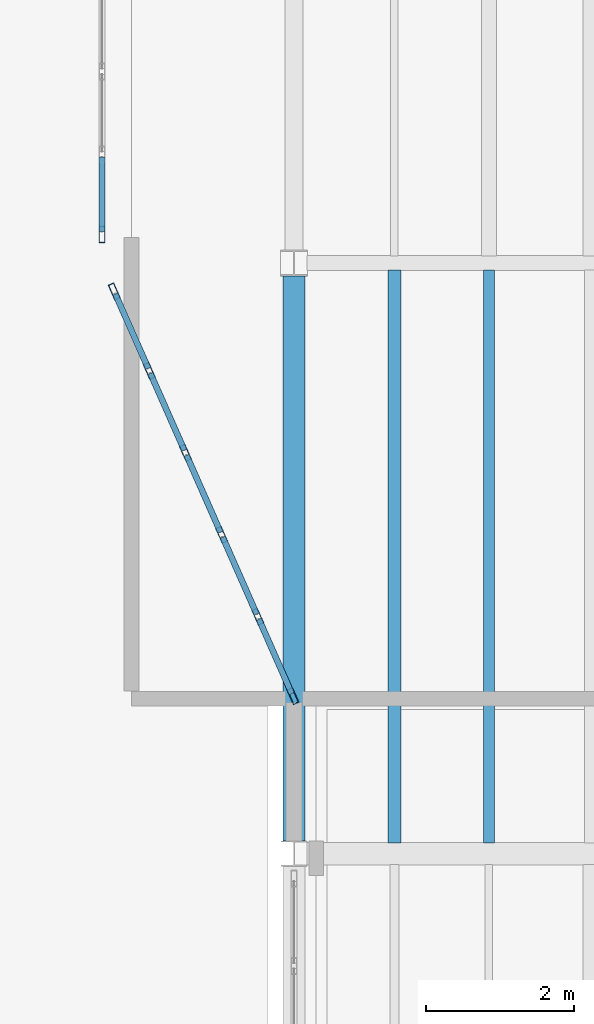
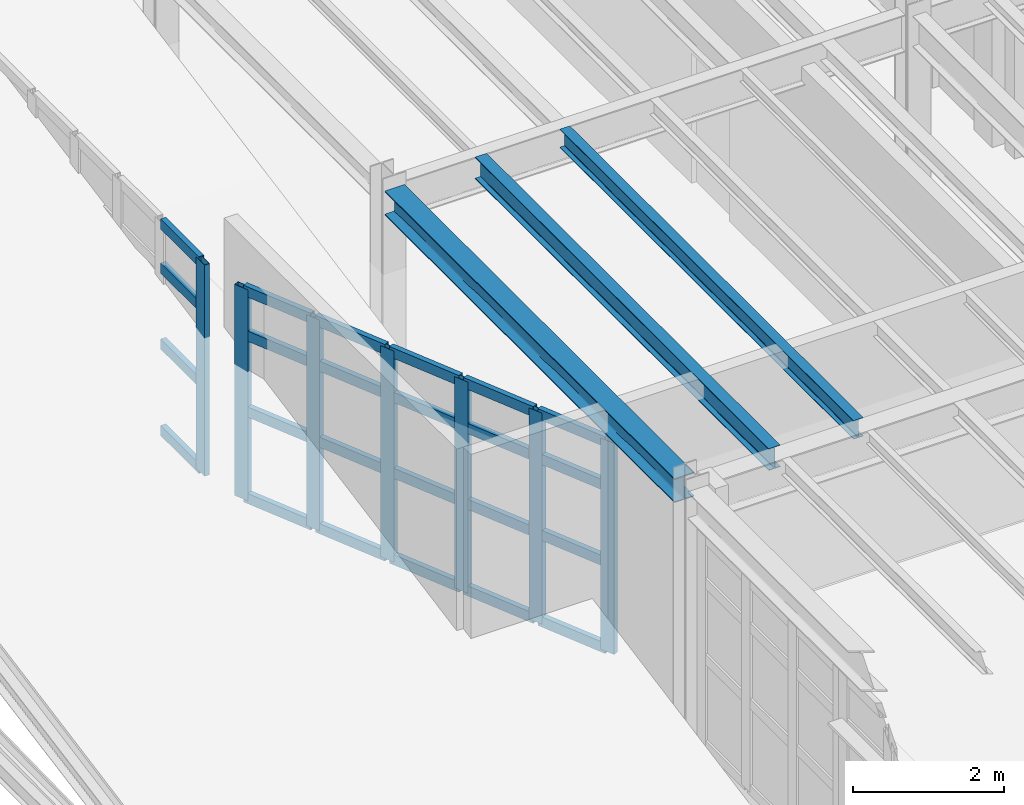
# One storey, part 31 of 77: 31 members, 3 beams, 2 elements without a shape of their own.
"""IFC4 building model written with IfcOpenShell, lengths in metres."""

import ifcopenshell
import ifcopenshell.guid

model = None  # the IFC model being written
_history = None  # IfcOwnerHistory: only IFC2X3 demands one
_inside = {}  # id of a spatial element -> (the spatial element, [elements in it])
_under = {}  # id of a project, library or spatial element -> (it, [spatial elements below it])
_declared = {}  # id of a project -> (the project, [libraries it declares])
_typed = {}  # id of a type object -> (the type object, [elements of that type])
_made_of = {}  # id of a material, layer set ... -> (it, [elements and type objects made of it])


def new_model(schema):
    """Start an empty IFC model of exactly this schema.

    Asked for "IFC4X3", IfcOpenShell would pick the latest addendum, in which some entities
    have other attributes; the version numbers below select the first issue.
    IFC2X3 requires an IfcOwnerHistory on every rooted entity: one is made here for all.
    """
    global model, _history
    if schema == "IFC4X3":
        model = ifcopenshell.file(schema_version=(4, 3, 0, 0))
    else:
        model = ifcopenshell.file(schema=schema)
    _inside.clear()
    _under.clear()
    _declared.clear()
    _typed.clear()
    _made_of.clear()
    _history = None
    if model.schema == "IFC2X3":
        org = make("IfcOrganization", Name="unknown")
        user = make(
            "IfcPersonAndOrganization",
            ThePerson=make("IfcPerson", FamilyName="unknown"),
            TheOrganization=org,
        )
        app = make(
            "IfcApplication",
            ApplicationDeveloper=org,
            Version="unknown",
            ApplicationFullName="unknown",
            ApplicationIdentifier="unknown",
        )
        _history = make(
            "IfcOwnerHistory",
            OwningUser=user,
            OwningApplication=app,
            ChangeAction="ADDED",
            CreationDate=0,
        )
    return model


def make(cls, **values):
    """One entity of the class cls with the attributes given. An attribute that is None is left unset."""
    return model.create_entity(
        cls, **{name: value for name, value in values.items() if value is not None}
    )


def rooted(cls, **values):
    """An entity with a GlobalId (a new one), such as an element, a storey or a relation."""
    return make(cls, GlobalId=ifcopenshell.guid.new(), OwnerHistory=_history, **values)


def si_unit(unit_type, name, prefix=None):
    """IfcSIUnit, for example si_unit("LENGTHUNIT", "METRE", prefix="MILLI")."""
    return make("IfcSIUnit", UnitType=unit_type, Prefix=prefix, Name=name)


def assignment(units):
    """IfcUnitAssignment: the units of a project."""
    return None if units is None else make("IfcUnitAssignment", Units=units)


def point(xyz):
    """IfcCartesianPoint."""
    return None if xyz is None else make("IfcCartesianPoint", Coordinates=xyz)


def direction(xyz):
    """IfcDirection."""
    return None if xyz is None else make("IfcDirection", DirectionRatios=xyz)


def frame(location, z_axis=None, x_axis=None):
    """IfcAxis2Placement3D, a coordinate frame: its origin and axes. An axis left out is left unset."""
    return make(
        "IfcAxis2Placement3D",
        Location=point(location),
        Axis=direction(z_axis),
        RefDirection=direction(x_axis),
    )


def frame_2d(location, x_axis=None):
    """IfcAxis2Placement2D, a coordinate frame in the plane: its origin and x axis."""
    return make(
        "IfcAxis2Placement2D", Location=point(location), RefDirection=direction(x_axis)
    )


def origin():
    """The frame at (0, 0, 0) with its axes left unset."""
    return frame((0.0, 0.0, 0.0))


def origin_2d():
    """The frame at (0, 0) in the plane with its x axis left unset."""
    return frame_2d((0.0, 0.0))


def place(relative_to, where):
    """IfcLocalPlacement: puts the frame where relative to a parent placement (None: the world)."""
    return make(
        "IfcLocalPlacement", PlacementRelTo=relative_to, RelativePlacement=where
    )


def context(
    kind, dimensions, precision=None, world=None, true_north=None, identifier=None
):
    """IfcGeometricRepresentationContext, for example the 3D "Model" context."""
    return make(
        "IfcGeometricRepresentationContext",
        ContextIdentifier=identifier,
        ContextType=kind,
        CoordinateSpaceDimension=dimensions,
        Precision=precision,
        WorldCoordinateSystem=world,
        TrueNorth=true_north,
    )


def subcontext(parent, identifier, kind, view, scale=None):
    """IfcGeometricRepresentationSubContext, for example "Body" below "Model"."""
    return make(
        "IfcGeometricRepresentationSubContext",
        ContextIdentifier=identifier,
        ContextType=kind,
        ParentContext=parent,
        TargetScale=scale,
        TargetView=view,
    )


def project(units=None, contexts=None):
    """IfcProject with its units and contexts."""
    return rooted(
        "IfcProject",
        Name="project",
        RepresentationContexts=contexts,
        UnitsInContext=assignment(units),
    )


def spatial(cls, under=None, at=None, **own):
    """A site, building, storey or space (cls), placed at a placement, below another one or the project."""
    s = rooted(cls, ObjectPlacement=at, **own)
    if under is not None:
        _under.setdefault(under.id(), (under, []))[1].append(s)
    return s


def profile(cls, at=None, kind="AREA", **sizes):
    """A parametric profile (cls). Its sizes go by their IFC names, for example OverallWidth=200.0."""
    return make(cls, ProfileType=kind, Position=at, **sizes)


def hollow_rectangle(**sizes):
    """IfcRectangleHollowProfileDef."""
    return profile("IfcRectangleHollowProfileDef", **sizes)


def i_section(**sizes):
    """IfcIShapeProfileDef."""
    return profile("IfcIShapeProfileDef", **sizes)


def extrude(swept, where, along, depth):
    """IfcExtrudedAreaSolid: the profile swept, set in the frame where, extruded along a direction by depth."""
    return make(
        "IfcExtrudedAreaSolid",
        SweptArea=swept,
        Position=where,
        ExtrudedDirection=direction(along),
        Depth=depth,
    )


def shape(context_of_items, identifier, shape_type, items):
    """IfcShapeRepresentation: the items that make up one representation, for example the "Body"."""
    return make(
        "IfcShapeRepresentation",
        ContextOfItems=context_of_items,
        RepresentationIdentifier=identifier,
        RepresentationType=shape_type,
        Items=items,
    )


def material(Name=None, Category=None):
    """IfcMaterial."""
    return make("IfcMaterial", Name=Name, Category=Category)


def material_profile(
    of_material, cross_section, Name=None, Category=None, Priority=None
):
    """IfcMaterialProfile: a cross section and its material."""
    return make(
        "IfcMaterialProfile",
        Name=Name,
        Material=of_material,
        Profile=cross_section,
        Priority=Priority,
        Category=Category,
    )


def profile_set(profiles, Name=None, composite=None):
    """IfcMaterialProfileSet."""
    return make(
        "IfcMaterialProfileSet",
        Name=Name,
        MaterialProfiles=profiles,
        CompositeProfile=composite,
    )


def made_of(thing, what):
    """Note that an element or type object is made of a material, layer set ...; save() writes the relation."""
    if what is not None:
        _made_of.setdefault(what.id(), (what, []))[1].append(thing)
    return thing


def type_object(cls, material=None, **own):
    """A type object (cls), such as IfcWallType, which elements share."""
    return made_of(rooted(cls, **own), material)


def element(
    cls,
    number,
    at=None,
    inside=None,
    cuts=None,
    type_object=None,
    material=None,
    context=None,
    identifier="Body",
    shape_type=None,
    held_by="IfcProductDefinitionShape",
    body=None,
    shapes=None,
    **own,
):
    """One element of the class cls, such as IfcWall. Its Tag is "e" and its number.

    at: its placement. inside: the storey or other place that contains it. cuts: it is an
    opening in that element (IfcRelVoidsElement). A single representation is given by context,
    identifier, shape_type and body (its items); several are given by shapes. held_by: the class
    of the entity that holds the representations. save() writes the other relations.
    """
    e = rooted(cls, Tag="e%d" % number, ObjectPlacement=at, **own)
    if body is not None:
        shapes = [shape(context, identifier, shape_type, body)]
    if shapes is not None:
        e.Representation = make(held_by, Representations=shapes)
    if inside is not None:
        _inside.setdefault(inside.id(), (inside, []))[1].append(e)
    if cuts is not None:
        rooted(
            "IfcRelVoidsElement", RelatingBuildingElement=cuts, RelatedOpeningElement=e
        )
    if type_object is not None:
        _typed.setdefault(type_object.id(), (type_object, []))[1].append(e)
    return made_of(e, material)


def aggregate(whole, parts):
    """IfcRelAggregates: a whole, such as a stair, and the parts it consists of."""
    return rooted("IfcRelAggregates", RelatingObject=whole, RelatedObjects=parts)


def save(model, path):
    """Write the relations noted so far, then the file.

    IfcRelAggregates (storeys below a building ...), IfcRelContainedInSpatialStructure (elements
    in a storey), IfcRelDefinesByType, IfcRelAssociatesMaterial and IfcRelDeclares: one each for
    every whole, place, type object, material and project.
    """
    for whole, parts in _under.values():
        aggregate(whole, parts)
    for where, things in _inside.values():
        rooted(
            "IfcRelContainedInSpatialStructure",
            RelatedElements=things,
            RelatingStructure=where,
        )
    for kind, things in _typed.values():
        rooted("IfcRelDefinesByType", RelatedObjects=things, RelatingType=kind)
    for what, things in _made_of.values():
        rooted("IfcRelAssociatesMaterial", RelatedObjects=things, RelatingMaterial=what)
    for by, libraries in _declared.values():
        rooted("IfcRelDeclares", RelatingContext=by, RelatedDefinitions=libraries)
    model.write(path)


model = new_model("IFC4")

# Units and contexts
model_context = context("Model", 3, precision=1e-05, world=origin(), true_north=direction((0.0, 1.0)))
body_context = subcontext(model_context, "Body", "Model", "MODEL_VIEW")
ifc_project = project(units=[si_unit("LENGTHUNIT", "METRE"), si_unit("AREAUNIT", "SQUARE_METRE"), si_unit("VOLUMEUNIT", "CUBIC_METRE"), si_unit("PLANEANGLEUNIT", "RADIAN"), si_unit("MASSUNIT", "GRAM", prefix="KILO"), si_unit("THERMODYNAMICTEMPERATUREUNIT", "KELVIN"), si_unit("POWERUNIT", "WATT")], contexts=[model_context])

# Site, building, storey
site_placement = place(None, origin())
site = spatial("IfcSite", under=ifc_project, at=site_placement, CompositionType="ELEMENT")
building_placement = place(site_placement, origin())
building = spatial("IfcBuilding", under=site, at=building_placement, Name="Zhenchuan Central Fire Station", CompositionType="ELEMENT")
storey_placement = place(building_placement, frame((0.0, 0.0, 10.050048828125)))
storey = spatial("IfcBuildingStorey", under=building, at=storey_placement, Name="L03", CompositionType="ELEMENT", Elevation=10.050048828125)

# Beam
ifc_material_1 = material(Name="Steel Q355B", Category="steel")
ifc_material_profile_1 = material_profile(ifc_material_1, i_section(OverallWidth=0.300048828125, OverallDepth=0.389892578125, WebThickness=0.010009765625, FlangeThickness=0.01611328125, FilletRadius=0.02001953125, at=origin_2d()), Name="HM 390x300")
ifc_profile_set_1 = profile_set([ifc_material_profile_1], Name="Steel Q355B")
beam_type_1 = type_object("IfcBeamType", Name="BM-HM390-INT", PredefinedType="BEAM", material=ifc_profile_set_1)
beam_1_placement = place(storey_placement, frame((140.0, 14.675048828125, 3.804931640625), z_axis=(0.0, 1.0, 0.0), x_axis=(-1.0, 0.0, 0.0)))
element("IfcBeam", 1, at=beam_1_placement, inside=storey, type_object=beam_type_1, Name="L04 Girder NS 0404", PredefinedType="BEAM", context=body_context, shape_type="SweptSolid", body=[
    extrude(i_section(OverallWidth=0.300048828125, OverallDepth=0.389892578125, WebThickness=0.010009765625, FlangeThickness=0.01611328125, FilletRadius=0.02001953125, at=origin_2d()), origin(), (0.0, 0.0, 1.0), 7.64990234375),
])

# Curtain wall, members
ifc_material_2 = material(Name="Anodised aluminium and low-E glazing", Category="aluminium")
curtain_wall_type_1 = type_object("IfcCurtainWallType", Name="CW-MOD-15", PredefinedType="USERDEFINED", material=ifc_material_2)
curtain_wall_1_placement = place(storey_placement, origin())
curtain_wall_1 = element("IfcCurtainWall", 2, at=curtain_wall_1_placement, inside=storey, type_object=curtain_wall_type_1, Name="L03 Unitised Curtain Wall 118", ObjectType="UNITISED GLAZING", PredefinedType="USERDEFINED")
ifc_material_3 = material(Name="Anodised aluminium EN AW-6063", Category="aluminium")
ifc_material_profile_2 = material_profile(ifc_material_3, hollow_rectangle(XDim=0.080078125, YDim=0.219970703125, WallThickness=0.005615234375, at=origin_2d()), Name="ALU-M 220x80")
ifc_profile_set_2 = profile_set([ifc_material_profile_2], Name="Anodised aluminium EN AW-6063")
member_type_1 = type_object("IfcMemberType", Name="CW-MUL200", PredefinedType="MULLION", material=ifc_profile_set_2)
member_1_placement = place(storey_placement, frame((137.565185546875, 22.11572265625, -0.004150390625), z_axis=(0.0, 0.0, 1.0), x_axis=(0.914828260287, 0.403843105897, 0.0)))
member_1 = element("IfcMember", 3, at=member_1_placement, type_object=member_type_1, Name="CW-15 mullion 1", PredefinedType="MULLION", context=body_context, shape_type="SweptSolid", body=[
    extrude(hollow_rectangle(XDim=0.080078125, YDim=0.219970703125, WallThickness=0.005615234375, at=origin_2d()), origin(), (0.0, 0.0, 1.0), 3.404052734375),
])
member_2_placement = place(storey_placement, frame((138.0400390625, 21.0400390625, -0.004150390625), z_axis=(0.0, 0.0, 1.0), x_axis=(0.914828260287, 0.403843105897, 0.0)))
member_2 = element("IfcMember", 4, at=member_2_placement, type_object=member_type_1, Name="CW-15 mullion 2", PredefinedType="MULLION", context=body_context, shape_type="SweptSolid", body=[
    extrude(hollow_rectangle(XDim=0.080078125, YDim=0.219970703125, WallThickness=0.005615234375, at=origin_2d()), origin(), (0.0, 0.0, 1.0), 3.404052734375),
])
member_3_placement = place(storey_placement, frame((138.530029296875, 19.929931640625, -0.004150390625), z_axis=(0.0, 0.0, 1.0), x_axis=(0.914828260287, 0.403843105897, 0.0)))
member_3 = element("IfcMember", 5, at=member_3_placement, type_object=member_type_1, Name="CW-15 mullion 3", PredefinedType="MULLION", context=body_context, shape_type="SweptSolid", body=[
    extrude(hollow_rectangle(XDim=0.080078125, YDim=0.219970703125, WallThickness=0.005615234375, at=origin_2d()), origin(), (0.0, 0.0, 1.0), 3.404052734375),
])
member_4_placement = place(storey_placement, frame((139.02001953125, 18.820068359375, -0.004150390625), z_axis=(0.0, 0.0, 1.0), x_axis=(0.914828260287, 0.403843105897, 0.0)))
member_4 = element("IfcMember", 6, at=member_4_placement, type_object=member_type_1, Name="CW-15 mullion 4", PredefinedType="MULLION", context=body_context, shape_type="SweptSolid", body=[
    extrude(hollow_rectangle(XDim=0.080078125, YDim=0.219970703125, WallThickness=0.005615234375, at=origin_2d()), origin(), (0.0, 0.0, 1.0), 3.404052734375),
])
member_5_placement = place(storey_placement, frame((139.510009765625, 17.7099609375, -0.004150390625), z_axis=(0.0, 0.0, 1.0), x_axis=(0.914828260287, 0.403843105897, 0.0)))
member_5 = element("IfcMember", 7, at=member_5_placement, type_object=member_type_1, Name="CW-15 mullion 5", PredefinedType="MULLION", context=body_context, shape_type="SweptSolid", body=[
    extrude(hollow_rectangle(XDim=0.080078125, YDim=0.219970703125, WallThickness=0.005615234375, at=origin_2d()), origin(), (0.0, 0.0, 1.0), 3.404052734375),
])
member_6_placement = place(storey_placement, frame((139.98486328125, 16.63427734375, -0.004150390625), z_axis=(0.0, 0.0, 1.0), x_axis=(0.914828260287, 0.403843105897, 0.0)))
member_6 = element("IfcMember", 8, at=member_6_placement, type_object=member_type_1, Name="CW-15 mullion 6", PredefinedType="MULLION", context=body_context, shape_type="SweptSolid", body=[
    extrude(hollow_rectangle(XDim=0.080078125, YDim=0.219970703125, WallThickness=0.005615234375, at=origin_2d()), origin(), (0.0, 0.0, 1.0), 3.404052734375),
])

# Curtain wall, member
curtain_wall_type_2 = type_object("IfcCurtainWallType", Name="CW-MOD-16", PredefinedType="USERDEFINED", material=ifc_material_2)
curtain_wall_2_placement = place(storey_placement, origin())
curtain_wall_2 = element("IfcCurtainWall", 9, at=curtain_wall_2_placement, inside=storey, type_object=curtain_wall_type_2, Name="L03 Unitised Curtain Wall 119", ObjectType="UNITISED GLAZING", PredefinedType="USERDEFINED")
member_7_placement = place(storey_placement, frame((137.39990234375, 22.887451171875, -0.004150390625), z_axis=(0.0, 0.0, 1.0), x_axis=(-1.0, 0.0, 0.0)))
member_7 = element("IfcMember", 10, at=member_7_placement, type_object=member_type_1, Name="CW-16 mullion 1", PredefinedType="MULLION", context=body_context, shape_type="SweptSolid", body=[
    extrude(hollow_rectangle(XDim=0.080078125, YDim=0.219970703125, WallThickness=0.005615234375, at=origin_2d()), origin(), (0.0, 0.0, 1.0), 3.404052734375),
])

# Member
ifc_material_profile_3 = material_profile(ifc_material_3, hollow_rectangle(XDim=0.080078125, YDim=0.1650390625, WallThickness=0.0048828125, at=origin_2d()), Name="ALU-T 165x80")
ifc_profile_set_3 = profile_set([ifc_material_profile_3], Name="Anodised aluminium EN AW-6063")
member_type_2 = type_object("IfcMemberType", Name="CW-TRN150", PredefinedType="NOTDEFINED", material=ifc_profile_set_3)
member_8_placement = place(storey_placement, frame((137.580322265625, 22.081298828125, 0.033447265625), z_axis=(0.403853138641, -0.914823831352, 0.0), x_axis=(0.914823831352, 0.403853138641, 0.0)))
member_8 = element("IfcMember", 11, at=member_8_placement, type_object=member_type_2, Name="CW-15 transom 1.1", ObjectType="TRANSOM", PredefinedType="USERDEFINED", context=body_context, shape_type="SweptSolid", body=[
    extrude(hollow_rectangle(XDim=0.080078125, YDim=0.1650390625, WallThickness=0.0048828125, at=origin_2d()), origin(), (0.0, 0.0, 1.0), 1.100830078125),
])

member_9_placement = place(storey_placement, frame((137.580322265625, 22.081298828125, 1.427978515625), z_axis=(0.403853138641, -0.914823831352, 0.0), x_axis=(0.914823831352, 0.403853138641, 0.0)))
member_9 = element("IfcMember", 12, at=member_9_placement, type_object=member_type_2, Name="CW-15 transom 1.2", ObjectType="TRANSOM", PredefinedType="USERDEFINED", context=body_context, shape_type="SweptSolid", body=[
    extrude(hollow_rectangle(XDim=0.080078125, YDim=0.1650390625, WallThickness=0.0048828125, at=origin_2d()), origin(), (0.0, 0.0, 1.0), 1.100830078125),
])

member_10_placement = place(storey_placement, frame((137.580322265625, 22.081298828125, 2.65185546875), z_axis=(0.403853138641, -0.914823831352, 0.0), x_axis=(0.914823831352, 0.403853138641, 0.0)))
member_10 = element("IfcMember", 13, at=member_10_placement, type_object=member_type_2, Name="CW-15 transom 1.3", ObjectType="TRANSOM", PredefinedType="USERDEFINED", context=body_context, shape_type="SweptSolid", body=[
    extrude(hollow_rectangle(XDim=0.080078125, YDim=0.1650390625, WallThickness=0.0048828125, at=origin_2d()), origin(), (0.0, 0.0, 1.0), 1.100830078125),
])

member_11_placement = place(storey_placement, frame((137.580322265625, 22.081298828125, 3.362548828125), z_axis=(0.403853138641, -0.914823831352, 0.0), x_axis=(0.914823831352, 0.403853138641, 0.0)))
member_11 = element("IfcMember", 14, at=member_11_placement, type_object=member_type_2, Name="CW-15 transom 1.4", ObjectType="TRANSOM", PredefinedType="USERDEFINED", context=body_context, shape_type="SweptSolid", body=[
    extrude(hollow_rectangle(XDim=0.080078125, YDim=0.1650390625, WallThickness=0.0048828125, at=origin_2d()), origin(), (0.0, 0.0, 1.0), 1.100830078125),
])

member_12_placement = place(storey_placement, frame((138.05517578125, 21.005615234375, 0.033447265625), z_axis=(0.403888387361, -0.914808269833, 0.0), x_axis=(0.914808269833, 0.403888387361, 0.0)))
member_12 = element("IfcMember", 15, at=member_12_placement, type_object=member_type_2, Name="CW-15 transom 2.1", ObjectType="TRANSOM", PredefinedType="USERDEFINED", context=body_context, shape_type="SweptSolid", body=[
    extrude(hollow_rectangle(XDim=0.080078125, YDim=0.1650390625, WallThickness=0.0048828125, at=origin_2d()), origin(), (0.0, 0.0, 1.0), 1.13818359375),
])

member_13_placement = place(storey_placement, frame((138.05517578125, 21.005615234375, 1.427978515625), z_axis=(0.403888387361, -0.914808269833, 0.0), x_axis=(0.914808269833, 0.403888387361, 0.0)))
member_13 = element("IfcMember", 16, at=member_13_placement, type_object=member_type_2, Name="CW-15 transom 2.2", ObjectType="TRANSOM", PredefinedType="USERDEFINED", context=body_context, shape_type="SweptSolid", body=[
    extrude(hollow_rectangle(XDim=0.080078125, YDim=0.1650390625, WallThickness=0.0048828125, at=origin_2d()), origin(), (0.0, 0.0, 1.0), 1.13818359375),
])

member_14_placement = place(storey_placement, frame((138.05517578125, 21.005615234375, 2.65185546875), z_axis=(0.403888387361, -0.914808269833, 0.0), x_axis=(0.914808269833, 0.403888387361, 0.0)))
member_14 = element("IfcMember", 17, at=member_14_placement, type_object=member_type_2, Name="CW-15 transom 2.3", ObjectType="TRANSOM", PredefinedType="USERDEFINED", context=body_context, shape_type="SweptSolid", body=[
    extrude(hollow_rectangle(XDim=0.080078125, YDim=0.1650390625, WallThickness=0.0048828125, at=origin_2d()), origin(), (0.0, 0.0, 1.0), 1.13818359375),
])

member_15_placement = place(storey_placement, frame((138.05517578125, 21.005615234375, 3.362548828125), z_axis=(0.403888387361, -0.914808269833, 0.0), x_axis=(0.914808269833, 0.403888387361, 0.0)))
member_15 = element("IfcMember", 18, at=member_15_placement, type_object=member_type_2, Name="CW-15 transom 2.4", ObjectType="TRANSOM", PredefinedType="USERDEFINED", context=body_context, shape_type="SweptSolid", body=[
    extrude(hollow_rectangle(XDim=0.080078125, YDim=0.1650390625, WallThickness=0.0048828125, at=origin_2d()), origin(), (0.0, 0.0, 1.0), 1.13818359375),
])

member_16_placement = place(storey_placement, frame((138.545166015625, 19.895751953125, 0.033447265625), z_axis=(0.403809150806, -0.914843248718, 0.0), x_axis=(0.914843248718, 0.403809150806, 0.0)))
member_16 = element("IfcMember", 19, at=member_16_placement, type_object=member_type_2, Name="CW-15 transom 3.1", ObjectType="TRANSOM", PredefinedType="USERDEFINED", context=body_context, shape_type="SweptSolid", body=[
    extrude(hollow_rectangle(XDim=0.080078125, YDim=0.1650390625, WallThickness=0.0048828125, at=origin_2d()), origin(), (0.0, 0.0, 1.0), 1.138427734375),
])

member_17_placement = place(storey_placement, frame((138.545166015625, 19.895751953125, 1.427978515625), z_axis=(0.403809150806, -0.914843248718, 0.0), x_axis=(0.914843248718, 0.403809150806, 0.0)))
member_17 = element("IfcMember", 20, at=member_17_placement, type_object=member_type_2, Name="CW-15 transom 3.2", ObjectType="TRANSOM", PredefinedType="USERDEFINED", context=body_context, shape_type="SweptSolid", body=[
    extrude(hollow_rectangle(XDim=0.080078125, YDim=0.1650390625, WallThickness=0.0048828125, at=origin_2d()), origin(), (0.0, 0.0, 1.0), 1.138427734375),
])

member_18_placement = place(storey_placement, frame((138.545166015625, 19.895751953125, 2.65185546875), z_axis=(0.403809150806, -0.914843248718, 0.0), x_axis=(0.914843248718, 0.403809150806, 0.0)))
member_18 = element("IfcMember", 21, at=member_18_placement, type_object=member_type_2, Name="CW-15 transom 3.3", ObjectType="TRANSOM", PredefinedType="USERDEFINED", context=body_context, shape_type="SweptSolid", body=[
    extrude(hollow_rectangle(XDim=0.080078125, YDim=0.1650390625, WallThickness=0.0048828125, at=origin_2d()), origin(), (0.0, 0.0, 1.0), 1.138427734375),
])

member_19_placement = place(storey_placement, frame((138.545166015625, 19.895751953125, 3.362548828125), z_axis=(0.403809150806, -0.914843248718, 0.0), x_axis=(0.914843248718, 0.403809150806, 0.0)))
member_19 = element("IfcMember", 22, at=member_19_placement, type_object=member_type_2, Name="CW-15 transom 3.4", ObjectType="TRANSOM", PredefinedType="USERDEFINED", context=body_context, shape_type="SweptSolid", body=[
    extrude(hollow_rectangle(XDim=0.080078125, YDim=0.1650390625, WallThickness=0.0048828125, at=origin_2d()), origin(), (0.0, 0.0, 1.0), 1.138427734375),
])

member_20_placement = place(storey_placement, frame((139.03515625, 18.78564453125, 0.033447265625), z_axis=(0.403888387361, -0.914808269833, 0.0), x_axis=(0.914808269833, 0.403888387361, 0.0)))
member_20 = element("IfcMember", 23, at=member_20_placement, type_object=member_type_2, Name="CW-15 transom 4.1", ObjectType="TRANSOM", PredefinedType="USERDEFINED", context=body_context, shape_type="SweptSolid", body=[
    extrude(hollow_rectangle(XDim=0.080078125, YDim=0.1650390625, WallThickness=0.0048828125, at=origin_2d()), origin(), (0.0, 0.0, 1.0), 1.13818359375),
])

member_21_placement = place(storey_placement, frame((139.03515625, 18.78564453125, 1.427978515625), z_axis=(0.403888387361, -0.914808269833, 0.0), x_axis=(0.914808269833, 0.403888387361, 0.0)))
member_21 = element("IfcMember", 24, at=member_21_placement, type_object=member_type_2, Name="CW-15 transom 4.2", ObjectType="TRANSOM", PredefinedType="USERDEFINED", context=body_context, shape_type="SweptSolid", body=[
    extrude(hollow_rectangle(XDim=0.080078125, YDim=0.1650390625, WallThickness=0.0048828125, at=origin_2d()), origin(), (0.0, 0.0, 1.0), 1.13818359375),
])

member_22_placement = place(storey_placement, frame((139.03515625, 18.78564453125, 2.65185546875), z_axis=(0.403888387361, -0.914808269833, 0.0), x_axis=(0.914808269833, 0.403888387361, 0.0)))
member_22 = element("IfcMember", 25, at=member_22_placement, type_object=member_type_2, Name="CW-15 transom 4.3", ObjectType="TRANSOM", PredefinedType="USERDEFINED", context=body_context, shape_type="SweptSolid", body=[
    extrude(hollow_rectangle(XDim=0.080078125, YDim=0.1650390625, WallThickness=0.0048828125, at=origin_2d()), origin(), (0.0, 0.0, 1.0), 1.13818359375),
])

member_23_placement = place(storey_placement, frame((139.03515625, 18.78564453125, 3.362548828125), z_axis=(0.403888387361, -0.914808269833, 0.0), x_axis=(0.914808269833, 0.403888387361, 0.0)))
member_23 = element("IfcMember", 26, at=member_23_placement, type_object=member_type_2, Name="CW-15 transom 4.4", ObjectType="TRANSOM", PredefinedType="USERDEFINED", context=body_context, shape_type="SweptSolid", body=[
    extrude(hollow_rectangle(XDim=0.080078125, YDim=0.1650390625, WallThickness=0.0048828125, at=origin_2d()), origin(), (0.0, 0.0, 1.0), 1.13818359375),
])

member_24_placement = place(storey_placement, frame((139.525146484375, 17.67578125, 0.033447265625), z_axis=(0.403853138641, -0.914823831352, 0.0), x_axis=(0.914823831352, 0.403853138641, 0.0)))
member_24 = element("IfcMember", 27, at=member_24_placement, type_object=member_type_2, Name="CW-15 transom 5.1", ObjectType="TRANSOM", PredefinedType="USERDEFINED", context=body_context, shape_type="SweptSolid", body=[
    extrude(hollow_rectangle(XDim=0.080078125, YDim=0.1650390625, WallThickness=0.0048828125, at=origin_2d()), origin(), (0.0, 0.0, 1.0), 1.100830078125),
])

member_25_placement = place(storey_placement, frame((139.525146484375, 17.67578125, 1.427978515625), z_axis=(0.403853138641, -0.914823831352, 0.0), x_axis=(0.914823831352, 0.403853138641, 0.0)))
member_25 = element("IfcMember", 28, at=member_25_placement, type_object=member_type_2, Name="CW-15 transom 5.2", ObjectType="TRANSOM", PredefinedType="USERDEFINED", context=body_context, shape_type="SweptSolid", body=[
    extrude(hollow_rectangle(XDim=0.080078125, YDim=0.1650390625, WallThickness=0.0048828125, at=origin_2d()), origin(), (0.0, 0.0, 1.0), 1.100830078125),
])

member_26_placement = place(storey_placement, frame((139.525146484375, 17.67578125, 2.65185546875), z_axis=(0.403853138641, -0.914823831352, 0.0), x_axis=(0.914823831352, 0.403853138641, 0.0)))
member_26 = element("IfcMember", 29, at=member_26_placement, type_object=member_type_2, Name="CW-15 transom 5.3", ObjectType="TRANSOM", PredefinedType="USERDEFINED", context=body_context, shape_type="SweptSolid", body=[
    extrude(hollow_rectangle(XDim=0.080078125, YDim=0.1650390625, WallThickness=0.0048828125, at=origin_2d()), origin(), (0.0, 0.0, 1.0), 1.100830078125),
])

member_27_placement = place(storey_placement, frame((139.525146484375, 17.67578125, 3.362548828125), z_axis=(0.403853138641, -0.914823831352, 0.0), x_axis=(0.914823831352, 0.403853138641, 0.0)))
member_27 = element("IfcMember", 30, at=member_27_placement, type_object=member_type_2, Name="CW-15 transom 5.4", ObjectType="TRANSOM", PredefinedType="USERDEFINED", context=body_context, shape_type="SweptSolid", body=[
    extrude(hollow_rectangle(XDim=0.080078125, YDim=0.1650390625, WallThickness=0.0048828125, at=origin_2d()), origin(), (0.0, 0.0, 1.0), 1.100830078125),
])

aggregate(curtain_wall_1, [member_1, member_2, member_3, member_4, member_5, member_6, member_8, member_9, member_10, member_11, member_12, member_13, member_14, member_15, member_16, member_17, member_18, member_19, member_20, member_21, member_22, member_23, member_24, member_25, member_26, member_27])

member_28_placement = place(storey_placement, frame((137.39990234375, 22.925048828125, 0.033447265625), z_axis=(0.0, 1.0, 0.0), x_axis=(-1.0, 0.0, 0.0)))
member_28 = element("IfcMember", 31, at=member_28_placement, type_object=member_type_2, Name="CW-16 transom 1.1", ObjectType="TRANSOM", PredefinedType="USERDEFINED", context=body_context, shape_type="SweptSolid", body=[
    extrude(hollow_rectangle(XDim=0.080078125, YDim=0.1650390625, WallThickness=0.0048828125, at=origin_2d()), origin(), (0.0, 0.0, 1.0), 1.009765625),
])

member_29_placement = place(storey_placement, frame((137.39990234375, 22.925048828125, 1.427978515625), z_axis=(0.0, 1.0, 0.0), x_axis=(-1.0, 0.0, 0.0)))
member_29 = element("IfcMember", 32, at=member_29_placement, type_object=member_type_2, Name="CW-16 transom 1.2", ObjectType="TRANSOM", PredefinedType="USERDEFINED", context=body_context, shape_type="SweptSolid", body=[
    extrude(hollow_rectangle(XDim=0.080078125, YDim=0.1650390625, WallThickness=0.0048828125, at=origin_2d()), origin(), (0.0, 0.0, 1.0), 1.009765625),
])

member_30_placement = place(storey_placement, frame((137.39990234375, 22.925048828125, 2.65185546875), z_axis=(0.0, 1.0, 0.0), x_axis=(-1.0, 0.0, 0.0)))
member_30 = element("IfcMember", 33, at=member_30_placement, type_object=member_type_2, Name="CW-16 transom 1.3", ObjectType="TRANSOM", PredefinedType="USERDEFINED", context=body_context, shape_type="SweptSolid", body=[
    extrude(hollow_rectangle(XDim=0.080078125, YDim=0.1650390625, WallThickness=0.0048828125, at=origin_2d()), origin(), (0.0, 0.0, 1.0), 1.009765625),
])

member_31_placement = place(storey_placement, frame((137.39990234375, 22.925048828125, 3.362548828125), z_axis=(0.0, 1.0, 0.0), x_axis=(-1.0, 0.0, 0.0)))
member_31 = element("IfcMember", 34, at=member_31_placement, type_object=member_type_2, Name="CW-16 transom 1.4", ObjectType="TRANSOM", PredefinedType="USERDEFINED", context=body_context, shape_type="SweptSolid", body=[
    extrude(hollow_rectangle(XDim=0.080078125, YDim=0.1650390625, WallThickness=0.0048828125, at=origin_2d()), origin(), (0.0, 0.0, 1.0), 1.009765625),
])

aggregate(curtain_wall_2, [member_7, member_28, member_29, member_30, member_31])

# Beams
ifc_material_profile_4 = material_profile(ifc_material_1, i_section(OverallWidth=0.14990234375, OverallDepth=0.300048828125, WebThickness=0.006591796875, FlangeThickness=0.009033203125, FilletRadius=0.012939453125, at=origin_2d()), Name="HN 300x150")
ifc_profile_set_4 = profile_set([ifc_material_profile_4], Name="Steel Q355B")
beam_type_2 = type_object("IfcBeamType", Name="JS-HN300", PredefinedType="JOIST", material=ifc_profile_set_4)
beam_2_placement = place(storey_placement, frame((142.639892578125, 14.64697265625, 3.849853515625), z_axis=(0.0, 1.0, 0.0), x_axis=(-1.0, 0.0, 0.0)))
element("IfcBeam", 35, at=beam_2_placement, inside=storey, type_object=beam_type_2, Name="L04 Secondary Joist 0591", PredefinedType="JOIST", context=body_context, shape_type="SweptSolid", body=[
    extrude(i_section(OverallWidth=0.14990234375, OverallDepth=0.300048828125, WebThickness=0.006591796875, FlangeThickness=0.009033203125, FilletRadius=0.012939453125, at=origin_2d()), origin(), (0.0, 0.0, 1.0), 7.756103515625),
])
ifc_material_profile_5 = material_profile(ifc_material_1, i_section(OverallWidth=0.175048828125, OverallDepth=0.35009765625, WebThickness=0.007080078125, FlangeThickness=0.010986328125, FilletRadius=0.013916015625, at=origin_2d()), Name="HN 350x175")
ifc_profile_set_5 = profile_set([ifc_material_profile_5], Name="Steel Q355B")
beam_type_3 = type_object("IfcBeamType", Name="JS-HN350", PredefinedType="JOIST", material=ifc_profile_set_5)
beam_3_placement = place(storey_placement, frame((141.360107421875, 14.64697265625, 3.824951171875), z_axis=(0.0, 1.0, 0.0), x_axis=(-1.0, 0.0, 0.0)))
element("IfcBeam", 36, at=beam_3_placement, inside=storey, type_object=beam_type_3, Name="L04 Secondary Joist 0590", PredefinedType="JOIST", context=body_context, shape_type="SweptSolid", body=[
    extrude(i_section(OverallWidth=0.175048828125, OverallDepth=0.35009765625, WebThickness=0.007080078125, FlangeThickness=0.010986328125, FilletRadius=0.013916015625, at=origin_2d()), origin(), (0.0, 0.0, 1.0), 7.756103515625),
])

save(model, "model.ifc")
